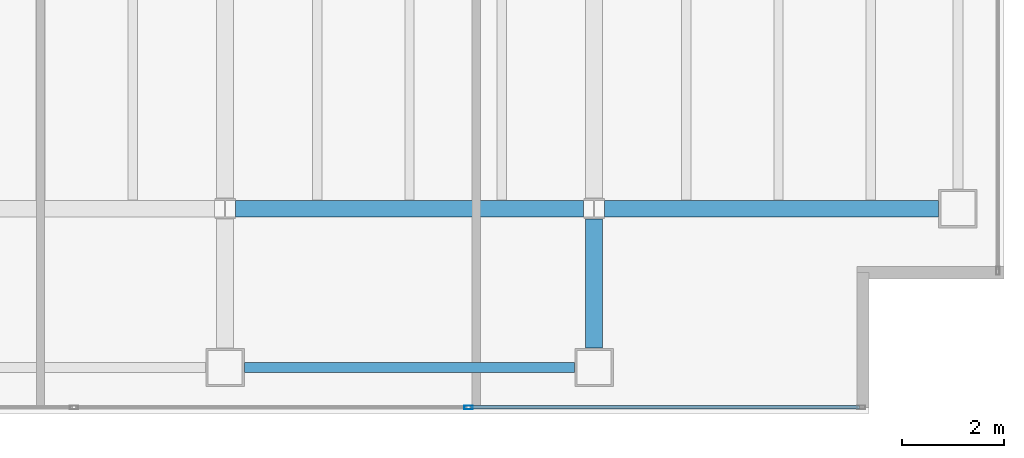
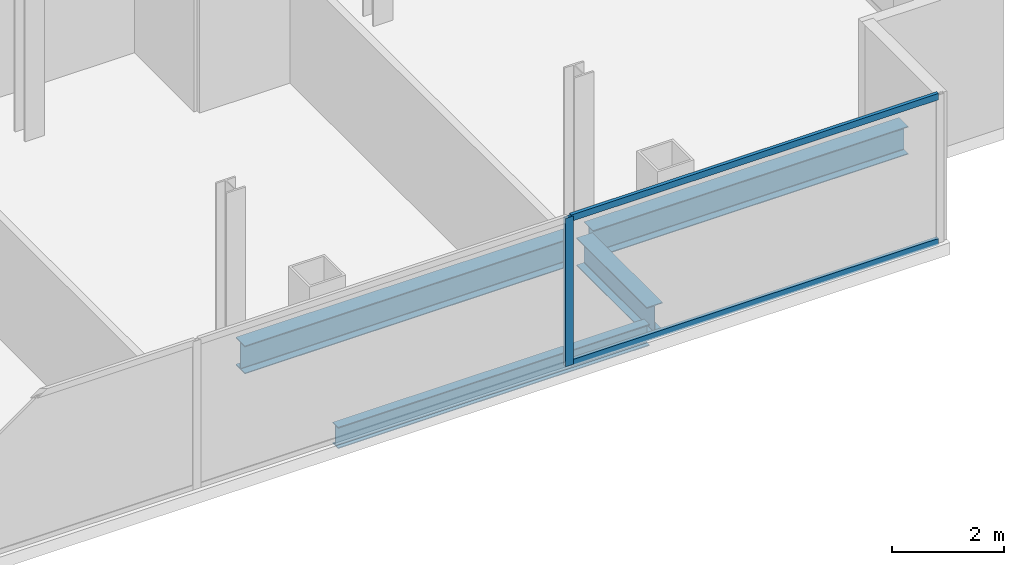
# One storey, part 10 of 23: 4 beams, 3 members, 1 element without a shape of its own.
"""IFC4 building model written with IfcOpenShell, lengths in metres."""

from ifc_helpers import new_model, si_unit, direction, frame, origin, origin_2d, place, context, subcontext, project, spatial, hollow_rectangle, i_section, extrude, material, material_profile, profile_set, type_object, element, aggregate, save


model = new_model("IFC4")

# Units and contexts
model_context = context("Model", 3, precision=1e-05, world=origin(), true_north=direction((0.0, 1.0)))
body_context = subcontext(model_context, "Body", "Model", "MODEL_VIEW")
ifc_project = project(units=[si_unit("LENGTHUNIT", "METRE"), si_unit("AREAUNIT", "SQUARE_METRE"), si_unit("VOLUMEUNIT", "CUBIC_METRE"), si_unit("PLANEANGLEUNIT", "RADIAN"), si_unit("MASSUNIT", "GRAM", prefix="KILO")], contexts=[model_context])

# Site, building, storey
site_placement = place(None, origin())
site = spatial("IfcSite", under=ifc_project, at=site_placement, CompositionType="ELEMENT")
building_placement = place(site_placement, origin())
building = spatial("IfcBuilding", under=site, at=building_placement, Name="Cobrela Telecom Tower", CompositionType="ELEMENT")
storey_placement = place(building_placement, frame((0.0, 0.0, 215.25)))
storey = spatial("IfcBuildingStorey", under=building, at=storey_placement, Name="L55", CompositionType="ELEMENT", Elevation=215.25)

# Beams
ifc_material_1 = material(Name="Steel ASTM A992 Grade 50", Category="steel")
ifc_material_profile_1 = material_profile(ifc_material_1, i_section(OverallWidth=0.324951171875, OverallDepth=0.612060546875, WebThickness=0.0126953125, FlangeThickness=0.01904296875, FilletRadius=0.014892578125, at=origin_2d()), Name="W24X104")
ifc_profile_set_1 = profile_set([ifc_material_profile_1], Name="Steel ASTM A992 Grade 50")
beam_type_1 = type_object("IfcBeamType", Name="BM-GIRD-07", PredefinedType="USERDEFINED", material=ifc_profile_set_1)
beam_1_placement = place(storey_placement, frame((29.00439453125, 7.199951171875, -0.56591796875), z_axis=(1.0, 0.0, 0.0), x_axis=(0.0, 1.0, 0.0)))
element("IfcBeam", 1, at=beam_1_placement, inside=storey, type_object=beam_type_1, Name="L55 Primary Girder X09", ObjectType="GIRDER", PredefinedType="USERDEFINED", context=body_context, shape_type="SweptSolid", body=[
    extrude(i_section(OverallWidth=0.324951171875, OverallDepth=0.612060546875, WebThickness=0.0126953125, FlangeThickness=0.01904296875, FilletRadius=0.014892578125, at=origin_2d()), origin(), (0.0, 0.0, 1.0), 6.791015625),
])
beam_2_placement = place(storey_placement, frame((36.20458984375, 7.199951171875, -0.56591796875), z_axis=(1.0, 0.0, 0.0), x_axis=(0.0, 1.0, 0.0)))
element("IfcBeam", 2, at=beam_2_placement, inside=storey, type_object=beam_type_1, Name="L55 Primary Girder X10", ObjectType="GIRDER", PredefinedType="USERDEFINED", context=body_context, shape_type="SweptSolid", body=[
    extrude(i_section(OverallWidth=0.324951171875, OverallDepth=0.612060546875, WebThickness=0.0126953125, FlangeThickness=0.01904296875, FilletRadius=0.014892578125, at=origin_2d()), origin(), (0.0, 0.0, 1.0), 6.515380859375),
])
beam_3_placement = place(storey_placement, frame((36.0, 4.47998046875, -0.56591796875), z_axis=(0.0, 1.0, 0.0), x_axis=(-1.0, 0.0, 0.0)))
element("IfcBeam", 3, at=beam_3_placement, inside=storey, type_object=beam_type_1, Name="L55 Primary Girder Y39", ObjectType="GIRDER", PredefinedType="USERDEFINED", context=body_context, shape_type="SweptSolid", body=[
    extrude(i_section(OverallWidth=0.324951171875, OverallDepth=0.612060546875, WebThickness=0.0126953125, FlangeThickness=0.01904296875, FilletRadius=0.014892578125, at=origin_2d()), origin(), (0.0, 0.0, 1.0), 2.515625),
])
ifc_material_profile_2 = material_profile(ifc_material_1, i_section(OverallWidth=0.193115234375, OverallDepth=0.467041015625, WebThickness=0.011474609375, FlangeThickness=0.01904296875, FilletRadius=0.012939453125, at=origin_2d()), Name="W18X65")
ifc_profile_set_2 = profile_set([ifc_material_profile_2], Name="Steel ASTM A992 Grade 50")
beam_type_2 = type_object("IfcBeamType", Name="BM-SPAND-05", PredefinedType="SPANDREL", material=ifc_profile_set_2)
beam_4_placement = place(storey_placement, frame((29.179931640625, 4.10009765625, -0.493408203125), z_axis=(1.0, 0.0, 0.0), x_axis=(0.0, 1.0, 0.0)))
element("IfcBeam", 4, at=beam_4_placement, inside=storey, type_object=beam_type_2, Name="L55 Perimeter Spandrel X04", PredefinedType="SPANDREL", context=body_context, shape_type="SweptSolid", body=[
    extrude(i_section(OverallWidth=0.193115234375, OverallDepth=0.467041015625, WebThickness=0.011474609375, FlangeThickness=0.01904296875, FilletRadius=0.012939453125, at=origin_2d()), origin(), (0.0, 0.0, 1.0), 6.440185546875),
])

# Curtain wall, members
ifc_material_2 = material(Name="Anodized Bronze Aluminium 6063-T6", Category="aluminium")
curtain_wall_type = type_object("IfcCurtainWallType", Name="CW-SYS-OFF-LO", PredefinedType="USERDEFINED", material=ifc_material_2)
curtain_wall_placement = place(storey_placement, origin())
curtain_wall = element("IfcCurtainWall", 5, at=curtain_wall_placement, inside=storey, type_object=curtain_wall_type, Name="L55 Unitised Bronze Curtain Wall 17", ObjectType="UNITISED CURTAIN WALL", PredefinedType="USERDEFINED")
ifc_material_profile_3 = material_profile(ifc_material_2, hollow_rectangle(XDim=0.070068359375, YDim=0.159912109375, WallThickness=0.00390625, at=origin_2d()), Name="ALU 70x160x4")
ifc_profile_set_3 = profile_set([ifc_material_profile_3], Name="Anodized Bronze Aluminium 6063-T6")
member_type_1 = type_object("IfcMemberType", Name="CW-SYS-OFF-LO-MUL", PredefinedType="MULLION", material=ifc_profile_set_3)
member_1_placement = place(storey_placement, frame((33.550048828125, 3.320068359375, 0.0), z_axis=(0.0, 0.0, 1.0), x_axis=(0.0, -1.0, 0.0)))
member_1 = element("IfcMember", 6, at=member_1_placement, type_object=member_type_1, Name="CW-OFF-LO mullion 2", PredefinedType="MULLION", context=body_context, shape_type="SweptSolid", body=[
    extrude(hollow_rectangle(XDim=0.070068359375, YDim=0.159912109375, WallThickness=0.00390625, at=origin_2d()), origin(), (0.0, 0.0, 1.0), 3.239990234375),
])
ifc_material_profile_4 = material_profile(ifc_material_2, hollow_rectangle(XDim=0.070068359375, YDim=0.139892578125, WallThickness=0.00390625, at=origin_2d()), Name="ALU 70x140x4")
ifc_profile_set_4 = profile_set([ifc_material_profile_4], Name="Anodized Bronze Aluminium 6063-T6")
member_type_2 = type_object("IfcMemberType", Name="CW-SYS-OFF-LO-TRN", PredefinedType="USERDEFINED", material=ifc_profile_set_4)
member_2_placement = place(storey_placement, frame((41.179931640625, 3.320068359375, 0.034912109375), z_axis=(-1.0, 0.0, 0.0), x_axis=(0.0, -1.0, 0.0)))
member_2 = element("IfcMember", 7, at=member_2_placement, type_object=member_type_2, Name="CW-OFF-LO transom 1.1", ObjectType="TRANSOM", PredefinedType="USERDEFINED", context=body_context, shape_type="SweptSolid", body=[
    extrude(hollow_rectangle(XDim=0.070068359375, YDim=0.139892578125, WallThickness=0.00390625, at=origin_2d()), origin(), (0.0, 0.0, 1.0), 7.594970703125),
])
member_3_placement = place(storey_placement, frame((41.179931640625, 3.320068359375, 3.205078125), z_axis=(-1.0, 0.0, 0.0), x_axis=(0.0, -1.0, 0.0)))
member_3 = element("IfcMember", 8, at=member_3_placement, type_object=member_type_2, Name="CW-OFF-LO transom 1.2", ObjectType="TRANSOM", PredefinedType="USERDEFINED", context=body_context, shape_type="SweptSolid", body=[
    extrude(hollow_rectangle(XDim=0.070068359375, YDim=0.139892578125, WallThickness=0.00390625, at=origin_2d()), origin(), (0.0, 0.0, 1.0), 7.594970703125),
])
aggregate(curtain_wall, [member_1, member_2, member_3])

save(model, "model.ifc")
